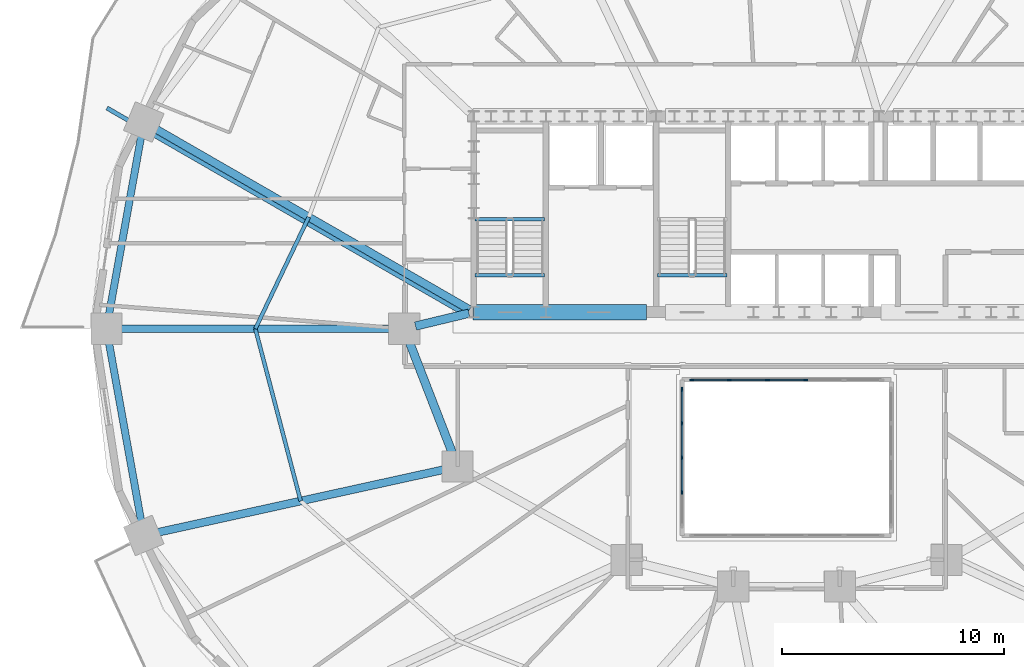
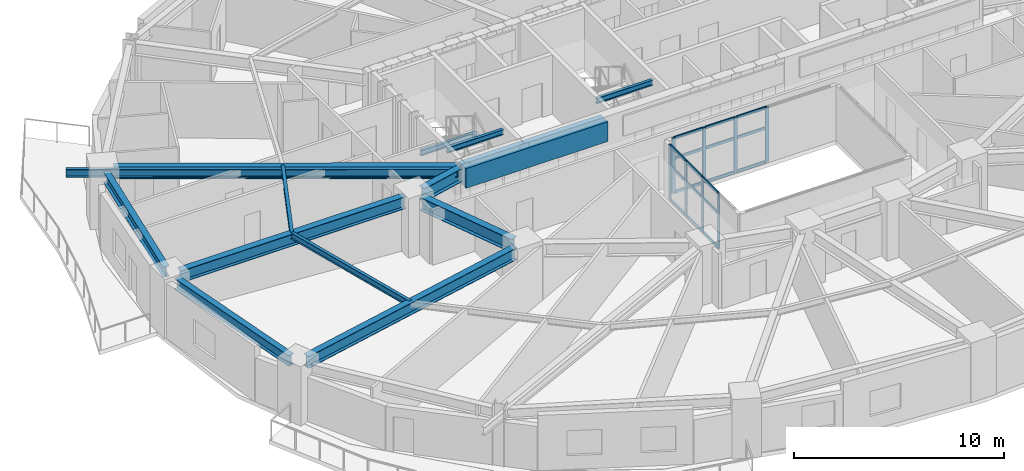
# One storey, part 4 of 17: 26 members, 14 beams, 2 elements without a shape of their own.
"""IFC4 building model written with IfcOpenShell, lengths in metres."""

from ifc_helpers import new_model, si_unit, direction, frame, origin, origin_2d, place, context, subcontext, project, spatial, rectangle, i_section, extrude, material, material_profile, profile_set, type_object, element, aggregate, save


model = new_model("IFC4")

# Units and contexts
model_context = context("Model", 3, precision=1e-05, world=origin(), true_north=direction((0.0, 1.0)))
body_context = subcontext(model_context, "Body", "Model", "MODEL_VIEW")
ifc_project = project(units=[si_unit("LENGTHUNIT", "METRE"), si_unit("AREAUNIT", "SQUARE_METRE"), si_unit("VOLUMEUNIT", "CUBIC_METRE"), si_unit("PLANEANGLEUNIT", "RADIAN"), si_unit("MASSUNIT", "GRAM", prefix="KILO")], contexts=[model_context])

# Site, building, storey
site_placement = place(None, origin())
site = spatial("IfcSite", under=ifc_project, at=site_placement, CompositionType="ELEMENT")
building_placement = place(site_placement, origin())
building = spatial("IfcBuilding", under=site, at=building_placement, Name="Haldorwick Loom Tower", CompositionType="ELEMENT")
storey_placement = place(building_placement, frame((0.0, 0.0, 34.35009765625)))
storey = spatial("IfcBuildingStorey", under=building, at=storey_placement, Name="L08", CompositionType="ELEMENT", Elevation=34.35009765625)

# Curtain wall, members
ifc_material_1 = material(Name="Thermally Broken Anodized Aluminium Curtain Wall Framing", Category="aluminium")
curtain_wall_type = type_object("IfcCurtainWallType", Name="ARC-CW-03", PredefinedType="NOTDEFINED", material=ifc_material_1)
curtain_wall_1_placement = place(storey_placement, origin())
curtain_wall_1 = element("IfcCurtainWall", 1, at=curtain_wall_1_placement, inside=storey, type_object=curtain_wall_type, Name="L08 Atrium Glazed Screen N", PredefinedType="NOTDEFINED")
ifc_material_profile_1 = material_profile(ifc_material_1, rectangle(XDim=0.06591796875, YDim=0.18505859375, at=origin_2d()), Name="ALU_MUL_66X185", Category="aluminium")
ifc_profile_set_1 = profile_set([ifc_material_profile_1], Name="Thermally Broken Anodized Aluminium Curtain Wall Framing")
member_type_1 = type_object("IfcMemberType", Name="ARC-CWM-03", PredefinedType="MULLION", material=ifc_profile_set_1)
member_1_placement = place(storey_placement, frame((31.73291015625, 23.699951171875, 0.0), z_axis=(0.0, 0.0, 1.0), x_axis=(0.0, 1.0, 0.0)))
member_1 = element("IfcMember", 2, at=member_1_placement, type_object=member_type_1, Name="CW-03 mullion 1", PredefinedType="MULLION", context=body_context, shape_type="SweptSolid", body=[
    extrude(rectangle(XDim=0.06591796875, YDim=0.18505859375, at=origin_2d()), origin(), (0.0, 0.0, 1.0), 3.2099609375),
])
member_2_placement = place(storey_placement, frame((33.419921875, 23.699951171875, 0.0), z_axis=(0.0, 0.0, 1.0), x_axis=(0.0, 1.0, 0.0)))
member_2 = element("IfcMember", 3, at=member_2_placement, type_object=member_type_1, Name="CW-03 mullion 2", PredefinedType="MULLION", context=body_context, shape_type="SweptSolid", body=[
    extrude(rectangle(XDim=0.06591796875, YDim=0.18505859375, at=origin_2d()), origin(), (0.0, 0.0, 1.0), 3.2099609375),
])
member_3_placement = place(storey_placement, frame((35.139892578125, 23.699951171875, 0.0), z_axis=(0.0, 0.0, 1.0), x_axis=(0.0, 1.0, 0.0)))
member_3 = element("IfcMember", 4, at=member_3_placement, type_object=member_type_1, Name="CW-03 mullion 3", PredefinedType="MULLION", context=body_context, shape_type="SweptSolid", body=[
    extrude(rectangle(XDim=0.06591796875, YDim=0.18505859375, at=origin_2d()), origin(), (0.0, 0.0, 1.0), 3.2099609375),
])
member_4_placement = place(storey_placement, frame((36.860107421875, 23.699951171875, 0.0), z_axis=(0.0, 0.0, 1.0), x_axis=(0.0, 1.0, 0.0)))
member_4 = element("IfcMember", 5, at=member_4_placement, type_object=member_type_1, Name="CW-03 mullion 4", PredefinedType="MULLION", context=body_context, shape_type="SweptSolid", body=[
    extrude(rectangle(XDim=0.06591796875, YDim=0.18505859375, at=origin_2d()), origin(), (0.0, 0.0, 1.0), 3.2099609375),
])

curtain_wall_2_placement = place(storey_placement, origin())
curtain_wall_2 = element("IfcCurtainWall", 6, at=curtain_wall_2_placement, inside=storey, type_object=curtain_wall_type, Name="L08 Atrium Glazed Screen W", PredefinedType="NOTDEFINED")
member_5_placement = place(storey_placement, frame((31.300048828125, 18.64990234375, 0.0), z_axis=(0.0, 0.0, 1.0), x_axis=(-1.0, 0.0, 0.0)))
member_5 = element("IfcMember", 7, at=member_5_placement, type_object=member_type_1, Name="CW-03 mullion 2", PredefinedType="MULLION", context=body_context, shape_type="SweptSolid", body=[
    extrude(rectangle(XDim=0.06591796875, YDim=0.18505859375, at=origin_2d()), origin(), (0.0, 0.0, 1.0), 3.2099609375),
])
member_6_placement = place(storey_placement, frame((31.300048828125, 20.199951171875, 0.0), z_axis=(0.0, 0.0, 1.0), x_axis=(-1.0, 0.0, 0.0)))
member_6 = element("IfcMember", 8, at=member_6_placement, type_object=member_type_1, Name="CW-03 mullion 3", PredefinedType="MULLION", context=body_context, shape_type="SweptSolid", body=[
    extrude(rectangle(XDim=0.06591796875, YDim=0.18505859375, at=origin_2d()), origin(), (0.0, 0.0, 1.0), 3.2099609375),
])
member_7_placement = place(storey_placement, frame((31.300048828125, 21.75, 0.0), z_axis=(0.0, 0.0, 1.0), x_axis=(-1.0, 0.0, 0.0)))
member_7 = element("IfcMember", 9, at=member_7_placement, type_object=member_type_1, Name="CW-03 mullion 4", PredefinedType="MULLION", context=body_context, shape_type="SweptSolid", body=[
    extrude(rectangle(XDim=0.06591796875, YDim=0.18505859375, at=origin_2d()), origin(), (0.0, 0.0, 1.0), 3.2099609375),
])
member_8_placement = place(storey_placement, frame((31.300048828125, 23.26708984375, 0.0), z_axis=(0.0, 0.0, 1.0), x_axis=(-1.0, 0.0, 0.0)))
member_8 = element("IfcMember", 10, at=member_8_placement, type_object=member_type_1, Name="CW-03 mullion 5", PredefinedType="MULLION", context=body_context, shape_type="SweptSolid", body=[
    extrude(rectangle(XDim=0.06591796875, YDim=0.18505859375, at=origin_2d()), origin(), (0.0, 0.0, 1.0), 3.2099609375),
])

# Member
ifc_material_profile_2 = material_profile(ifc_material_1, rectangle(XDim=0.06591796875, YDim=0.1650390625, at=origin_2d()), Name="ALU_TRN_66X165", Category="aluminium")
ifc_profile_set_2 = profile_set([ifc_material_profile_2], Name="Thermally Broken Anodized Aluminium Curtain Wall Framing")
member_type_2 = type_object("IfcMemberType", Name="ARC-CWT-03", PredefinedType="USERDEFINED", material=ifc_profile_set_2)
member_9_placement = place(storey_placement, frame((31.76611328125, 23.699951171875, 0.032958984375), z_axis=(1.0, 0.0, 0.0), x_axis=(0.0, 1.0, 0.0)))
member_9 = element("IfcMember", 11, at=member_9_placement, type_object=member_type_2, Name="CW-03 transom 1.1", ObjectType="TRANSOM", PredefinedType="USERDEFINED", context=body_context, shape_type="SweptSolid", body=[
    extrude(rectangle(XDim=0.06591796875, YDim=0.1650390625, at=origin_2d()), origin(), (0.0, 0.0, 1.0), 1.620849609375),
])

member_10_placement = place(storey_placement, frame((31.76611328125, 23.699951171875, 2.0), z_axis=(1.0, 0.0, 0.0), x_axis=(0.0, 1.0, 0.0)))
member_10 = element("IfcMember", 12, at=member_10_placement, type_object=member_type_2, Name="CW-03 transom 1.2", ObjectType="TRANSOM", PredefinedType="USERDEFINED", context=body_context, shape_type="SweptSolid", body=[
    extrude(rectangle(XDim=0.06591796875, YDim=0.1650390625, at=origin_2d()), origin(), (0.0, 0.0, 1.0), 1.620849609375),
])

member_11_placement = place(storey_placement, frame((31.76611328125, 23.699951171875, 3.177001953125), z_axis=(1.0, 0.0, 0.0), x_axis=(0.0, 1.0, 0.0)))
member_11 = element("IfcMember", 13, at=member_11_placement, type_object=member_type_2, Name="CW-03 transom 1.3", ObjectType="TRANSOM", PredefinedType="USERDEFINED", context=body_context, shape_type="SweptSolid", body=[
    extrude(rectangle(XDim=0.06591796875, YDim=0.1650390625, at=origin_2d()), origin(), (0.0, 0.0, 1.0), 1.620849609375),
])

member_12_placement = place(storey_placement, frame((33.452880859375, 23.699951171875, 0.032958984375), z_axis=(1.0, 0.0, 0.0), x_axis=(0.0, 1.0, 0.0)))
member_12 = element("IfcMember", 14, at=member_12_placement, type_object=member_type_2, Name="CW-03 transom 2.1", ObjectType="TRANSOM", PredefinedType="USERDEFINED", context=body_context, shape_type="SweptSolid", body=[
    extrude(rectangle(XDim=0.06591796875, YDim=0.1650390625, at=origin_2d()), origin(), (0.0, 0.0, 1.0), 1.654052734375),
])

member_13_placement = place(storey_placement, frame((33.452880859375, 23.699951171875, 2.0), z_axis=(1.0, 0.0, 0.0), x_axis=(0.0, 1.0, 0.0)))
member_13 = element("IfcMember", 15, at=member_13_placement, type_object=member_type_2, Name="CW-03 transom 2.2", ObjectType="TRANSOM", PredefinedType="USERDEFINED", context=body_context, shape_type="SweptSolid", body=[
    extrude(rectangle(XDim=0.06591796875, YDim=0.1650390625, at=origin_2d()), origin(), (0.0, 0.0, 1.0), 1.654052734375),
])

member_14_placement = place(storey_placement, frame((33.452880859375, 23.699951171875, 3.177001953125), z_axis=(1.0, 0.0, 0.0), x_axis=(0.0, 1.0, 0.0)))
member_14 = element("IfcMember", 16, at=member_14_placement, type_object=member_type_2, Name="CW-03 transom 2.3", ObjectType="TRANSOM", PredefinedType="USERDEFINED", context=body_context, shape_type="SweptSolid", body=[
    extrude(rectangle(XDim=0.06591796875, YDim=0.1650390625, at=origin_2d()), origin(), (0.0, 0.0, 1.0), 1.654052734375),
])

member_15_placement = place(storey_placement, frame((35.173095703125, 23.699951171875, 0.032958984375), z_axis=(1.0, 0.0, 0.0), x_axis=(0.0, 1.0, 0.0)))
member_15 = element("IfcMember", 17, at=member_15_placement, type_object=member_type_2, Name="CW-03 transom 3.1", ObjectType="TRANSOM", PredefinedType="USERDEFINED", context=body_context, shape_type="SweptSolid", body=[
    extrude(rectangle(XDim=0.06591796875, YDim=0.1650390625, at=origin_2d()), origin(), (0.0, 0.0, 1.0), 1.65380859375),
])

member_16_placement = place(storey_placement, frame((35.173095703125, 23.699951171875, 2.0), z_axis=(1.0, 0.0, 0.0), x_axis=(0.0, 1.0, 0.0)))
member_16 = element("IfcMember", 18, at=member_16_placement, type_object=member_type_2, Name="CW-03 transom 3.2", ObjectType="TRANSOM", PredefinedType="USERDEFINED", context=body_context, shape_type="SweptSolid", body=[
    extrude(rectangle(XDim=0.06591796875, YDim=0.1650390625, at=origin_2d()), origin(), (0.0, 0.0, 1.0), 1.65380859375),
])

member_17_placement = place(storey_placement, frame((35.173095703125, 23.699951171875, 3.177001953125), z_axis=(1.0, 0.0, 0.0), x_axis=(0.0, 1.0, 0.0)))
member_17 = element("IfcMember", 19, at=member_17_placement, type_object=member_type_2, Name="CW-03 transom 3.3", ObjectType="TRANSOM", PredefinedType="USERDEFINED", context=body_context, shape_type="SweptSolid", body=[
    extrude(rectangle(XDim=0.06591796875, YDim=0.1650390625, at=origin_2d()), origin(), (0.0, 0.0, 1.0), 1.65380859375),
])

aggregate(curtain_wall_1, [member_1, member_2, member_3, member_4, member_9, member_10, member_11, member_12, member_13, member_14, member_15, member_16, member_17])

member_18_placement = place(storey_placement, frame((31.300048828125, 18.68310546875, 0.032958984375), z_axis=(0.0, 1.0, 0.0), x_axis=(-1.0, 0.0, 0.0)))
member_18 = element("IfcMember", 20, at=member_18_placement, type_object=member_type_2, Name="CW-03 transom 2.1", ObjectType="TRANSOM", PredefinedType="USERDEFINED", context=body_context, shape_type="SweptSolid", body=[
    extrude(rectangle(XDim=0.06591796875, YDim=0.1650390625, at=origin_2d()), origin(), (0.0, 0.0, 1.0), 1.48388671875),
])

member_19_placement = place(storey_placement, frame((31.300048828125, 18.68310546875, 2.0), z_axis=(0.0, 1.0, 0.0), x_axis=(-1.0, 0.0, 0.0)))
member_19 = element("IfcMember", 21, at=member_19_placement, type_object=member_type_2, Name="CW-03 transom 2.2", ObjectType="TRANSOM", PredefinedType="USERDEFINED", context=body_context, shape_type="SweptSolid", body=[
    extrude(rectangle(XDim=0.06591796875, YDim=0.1650390625, at=origin_2d()), origin(), (0.0, 0.0, 1.0), 1.48388671875),
])

member_20_placement = place(storey_placement, frame((31.300048828125, 18.68310546875, 3.177001953125), z_axis=(0.0, 1.0, 0.0), x_axis=(-1.0, 0.0, 0.0)))
member_20 = element("IfcMember", 22, at=member_20_placement, type_object=member_type_2, Name="CW-03 transom 2.3", ObjectType="TRANSOM", PredefinedType="USERDEFINED", context=body_context, shape_type="SweptSolid", body=[
    extrude(rectangle(XDim=0.06591796875, YDim=0.1650390625, at=origin_2d()), origin(), (0.0, 0.0, 1.0), 1.48388671875),
])

member_21_placement = place(storey_placement, frame((31.300048828125, 20.23291015625, 0.032958984375), z_axis=(0.0, 1.0, 0.0), x_axis=(-1.0, 0.0, 0.0)))
member_21 = element("IfcMember", 23, at=member_21_placement, type_object=member_type_2, Name="CW-03 transom 3.1", ObjectType="TRANSOM", PredefinedType="USERDEFINED", context=body_context, shape_type="SweptSolid", body=[
    extrude(rectangle(XDim=0.06591796875, YDim=0.1650390625, at=origin_2d()), origin(), (0.0, 0.0, 1.0), 1.484130859375),
])

member_22_placement = place(storey_placement, frame((31.300048828125, 20.23291015625, 2.0), z_axis=(0.0, 1.0, 0.0), x_axis=(-1.0, 0.0, 0.0)))
member_22 = element("IfcMember", 24, at=member_22_placement, type_object=member_type_2, Name="CW-03 transom 3.2", ObjectType="TRANSOM", PredefinedType="USERDEFINED", context=body_context, shape_type="SweptSolid", body=[
    extrude(rectangle(XDim=0.06591796875, YDim=0.1650390625, at=origin_2d()), origin(), (0.0, 0.0, 1.0), 1.484130859375),
])

member_23_placement = place(storey_placement, frame((31.300048828125, 20.23291015625, 3.177001953125), z_axis=(0.0, 1.0, 0.0), x_axis=(-1.0, 0.0, 0.0)))
member_23 = element("IfcMember", 25, at=member_23_placement, type_object=member_type_2, Name="CW-03 transom 3.3", ObjectType="TRANSOM", PredefinedType="USERDEFINED", context=body_context, shape_type="SweptSolid", body=[
    extrude(rectangle(XDim=0.06591796875, YDim=0.1650390625, at=origin_2d()), origin(), (0.0, 0.0, 1.0), 1.484130859375),
])

member_24_placement = place(storey_placement, frame((31.300048828125, 21.782958984375, 0.032958984375), z_axis=(0.0, 1.0, 0.0), x_axis=(-1.0, 0.0, 0.0)))
member_24 = element("IfcMember", 26, at=member_24_placement, type_object=member_type_2, Name="CW-03 transom 4.1", ObjectType="TRANSOM", PredefinedType="USERDEFINED", context=body_context, shape_type="SweptSolid", body=[
    extrude(rectangle(XDim=0.06591796875, YDim=0.1650390625, at=origin_2d()), origin(), (0.0, 0.0, 1.0), 1.450927734375),
])

member_25_placement = place(storey_placement, frame((31.300048828125, 21.782958984375, 2.0), z_axis=(0.0, 1.0, 0.0), x_axis=(-1.0, 0.0, 0.0)))
member_25 = element("IfcMember", 27, at=member_25_placement, type_object=member_type_2, Name="CW-03 transom 4.2", ObjectType="TRANSOM", PredefinedType="USERDEFINED", context=body_context, shape_type="SweptSolid", body=[
    extrude(rectangle(XDim=0.06591796875, YDim=0.1650390625, at=origin_2d()), origin(), (0.0, 0.0, 1.0), 1.450927734375),
])

member_26_placement = place(storey_placement, frame((31.300048828125, 21.782958984375, 3.177001953125), z_axis=(0.0, 1.0, 0.0), x_axis=(-1.0, 0.0, 0.0)))
member_26 = element("IfcMember", 28, at=member_26_placement, type_object=member_type_2, Name="CW-03 transom 4.3", ObjectType="TRANSOM", PredefinedType="USERDEFINED", context=body_context, shape_type="SweptSolid", body=[
    extrude(rectangle(XDim=0.06591796875, YDim=0.1650390625, at=origin_2d()), origin(), (0.0, 0.0, 1.0), 1.450927734375),
])

aggregate(curtain_wall_2, [member_5, member_6, member_7, member_8, member_18, member_19, member_20, member_21, member_22, member_23, member_24, member_25, member_26])

# Beams
ifc_material_2 = material(Name="Steel CSA G40.21 350W", Category="steel")
ifc_material_profile_3 = material_profile(ifc_material_2, i_section(OverallWidth=0.193115234375, OverallDepth=0.466064453125, WebThickness=0.011474609375, FlangeThickness=0.01904296875, at=origin_2d()), Name="W460X97", Category="steel")
ifc_profile_set_3 = profile_set([ifc_material_profile_3], Name="Steel CSA G40.21 350W")
beam_type_1 = type_object("IfcBeamType", Name="STR-BM-BAL460", PredefinedType="BEAM", material=ifc_profile_set_3)
beam_1_placement = place(storey_placement, frame((21.59521484375, 26.61962890625, 2.976806640625), z_axis=(-0.866607024941, 0.49899124674, 0.0), x_axis=(-0.49899124674, -0.866607024941, 0.0)))
element("IfcBeam", 29, at=beam_1_placement, inside=storey, type_object=beam_type_1, Name="L08 Continuous Back-Spanned Balcony Beam 3", PredefinedType="BEAM", context=body_context, shape_type="SweptSolid", body=[
    extrude(i_section(OverallWidth=0.193115234375, OverallDepth=0.466064453125, WebThickness=0.011474609375, FlangeThickness=0.01904296875, at=origin_2d()), origin(), (0.0, 0.0, 1.0), 18.65771484375),
])
ifc_material_3 = material(Name="Concrete C60 (60 MPa)", Category="concrete")
ifc_material_profile_4 = material_profile(ifc_material_3, rectangle(XDim=0.699951171875, YDim=1.14990234375, at=origin_2d()), Name="RC700X1150", Category="concrete")
ifc_profile_set_4 = profile_set([ifc_material_profile_4], Name="Concrete C60 (60 MPa)")
beam_type_2 = type_object("IfcBeamType", Name="STR-BM-CB1150", PredefinedType="LINTEL", material=ifc_profile_set_4)
beam_2_placement = place(storey_placement, frame((21.89990234375, 26.75, 2.635009765625), z_axis=(1.0, 0.0, 0.0), x_axis=(0.0, 1.0, 0.0)))
element("IfcBeam", 30, at=beam_2_placement, inside=storey, type_object=beam_type_2, Name="L08 Core Coupling Beam CB-S1", PredefinedType="LINTEL", context=body_context, shape_type="SweptSolid", body=[
    extrude(rectangle(XDim=0.699951171875, YDim=1.14990234375, at=origin_2d()), origin(), (0.0, 0.0, 1.0), 7.800048828125),
])
ifc_material_profile_5 = material_profile(ifc_material_2, i_section(OverallWidth=0.172119140625, OverallDepth=0.35791015625, WebThickness=0.0078125, FlangeThickness=0.01318359375, at=origin_2d()), Name="W360X57", Category="steel")
ifc_profile_set_5 = profile_set([ifc_material_profile_5], Name="Steel CSA G40.21 350W")
beam_type_3 = type_object("IfcBeamType", Name="STR-BM-J360", PredefinedType="JOIST", material=ifc_profile_set_5)
beam_3_placement = place(storey_placement, frame((14.50634765625, 31.024658203125, 3.031005859375), z_axis=(-0.431630738849, -0.902050389546, 0.0), x_axis=(0.902050389546, -0.431630738849, 0.0)))
element("IfcBeam", 31, at=beam_3_placement, inside=storey, type_object=beam_type_3, Name="L08 Mid-Bay Secondary Joist 8", PredefinedType="JOIST", context=body_context, shape_type="SweptSolid", body=[
    extrude(i_section(OverallWidth=0.172119140625, OverallDepth=0.35791015625, WebThickness=0.0078125, FlangeThickness=0.01318359375, at=origin_2d()), origin(), (0.0, 0.0, 1.0), 5.5703125),
])
beam_4_placement = place(storey_placement, frame((12.10205078125, 26.0, 3.031005859375), z_axis=(0.2544888003, -0.967075721193, 0.0), x_axis=(0.967075721193, 0.2544888003, 0.0)))
element("IfcBeam", 32, at=beam_4_placement, inside=storey, type_object=beam_type_3, Name="L08 Mid-Bay Secondary Joist 9", PredefinedType="JOIST", context=body_context, shape_type="SweptSolid", body=[
    extrude(i_section(OverallWidth=0.172119140625, OverallDepth=0.35791015625, WebThickness=0.0078125, FlangeThickness=0.01318359375, at=origin_2d()), origin(), (0.0, 0.0, 1.0), 8.013427734375),
])
ifc_material_profile_6 = material_profile(ifc_material_2, i_section(OverallWidth=0.324951171875, OverallDepth=0.615966796875, WebThickness=0.013916015625, FlangeThickness=0.021484375, at=origin_2d()), Name="W610X174", Category="steel")
ifc_profile_set_6 = profile_set([ifc_material_profile_6], Name="Steel CSA G40.21 350W")
beam_type_4 = type_object("IfcBeamType", Name="STR-BM-SP610", PredefinedType="SPANDREL", material=ifc_profile_set_6)
for number, where, z_axis, x_axis, name in (
    (33, (6.990234375, 34.78759765625, 2.90185546875), (-0.177641139482, -0.984095333575, 0.0), (0.984095333575, -0.177641139482, 0.0), "L08 Perimeter Spandrel 8"),
    (34, (5.496337890625, 25.48828125, 2.90185546875), (0.177641139482, -0.984095333575, 0.0), (0.984095333575, 0.177641139482, 0.0), "L08 Perimeter Spandrel 9"),
):
    element("IfcBeam", number, at=place(storey_placement, frame(where, z_axis=z_axis, x_axis=x_axis)), inside=storey, type_object=beam_type_4, Name=name, PredefinedType="SPANDREL", context=body_context, shape_type="SweptSolid", body=[
        extrude(i_section(OverallWidth=0.324951171875, OverallDepth=0.615966796875, WebThickness=0.013916015625, FlangeThickness=0.021484375, at=origin_2d()), origin(), (0.0, 0.0, 1.0), 8.40966796875),
    ])
ifc_material_profile_7 = material_profile(ifc_material_2, i_section(OverallWidth=0.166015625, OverallDepth=0.31298828125, WebThickness=0.006591796875, FlangeThickness=0.01123046875, at=origin_2d()), Name="W310X45", Category="steel")
ifc_profile_set_7 = profile_set([ifc_material_profile_7], Name="Steel CSA G40.21 350W")
beam_type_5 = type_object("IfcBeamType", Name="STR-BM-STRM", PredefinedType="BEAM", material=ifc_profile_set_7)
for number, where, z_axis, x_axis, name in (
    (35, (21.989990234375, 28.39990234375, 3.053466796875), (1.0, 0.0, 0.0), (0.0, 1.0, 0.0), "L08 Stair ST-01 Landing Edge Trimmer"),
    (36, (21.989990234375, 30.919921875, 1.368408203125), (1.0, 0.0, 0.0), (0.0, 1.0, 0.0), "L08 Stair ST-01 Half-Landing Trimmer 1"),
    (37, (30.18994140625, 28.39990234375, 3.053466796875), (1.0, 0.0, 0.0), (0.0, 1.0, 0.0), "L08 Stair ST-03 Landing Edge Trimmer"),
):
    element("IfcBeam", number, at=place(storey_placement, frame(where, z_axis=z_axis, x_axis=x_axis)), inside=storey, type_object=beam_type_5, Name=name, PredefinedType="BEAM", context=body_context, shape_type="SweptSolid", body=[
        extrude(i_section(OverallWidth=0.166015625, OverallDepth=0.31298828125, WebThickness=0.006591796875, FlangeThickness=0.01123046875, at=origin_2d()), origin(), (0.0, 0.0, 1.0), 3.1201171875),
    ])
ifc_material_profile_8 = material_profile(ifc_material_2, i_section(OverallWidth=0.35498046875, OverallDepth=0.695068359375, WebThickness=0.015380859375, FlangeThickness=0.02490234375, at=origin_2d()), Name="W690X217", Category="steel")
ifc_profile_set_8 = profile_set([ifc_material_profile_8], Name="Steel CSA G40.21 350W")
beam_type_6 = type_object("IfcBeamType", Name="STR-BM-W690", PredefinedType="BEAM", material=ifc_profile_set_8)
beam_5_placement = place(storey_placement, frame((21.735107421875, 26.8623046875, 2.8623046875), z_axis=(-0.86660566838, 0.498993602696, 0.0), x_axis=(-0.498993602696, -0.86660566838, 0.0)))
element("IfcBeam", 38, at=beam_5_placement, inside=storey, type_object=beam_type_6, Name="L08 Radial Floor Girder 8", PredefinedType="BEAM", context=body_context, shape_type="SweptSolid", body=[
    extrude(i_section(OverallWidth=0.35498046875, OverallDepth=0.695068359375, WebThickness=0.015380859375, FlangeThickness=0.02490234375, at=origin_2d()), origin(), (0.0, 0.0, 1.0), 16.387939453125),
])
beam_6_placement = place(storey_placement, frame((18.280029296875, 26.0, 2.8623046875), z_axis=(-1.0, 0.0, 0.0), x_axis=(0.0, -1.0, 0.0)))
element("IfcBeam", 39, at=beam_6_placement, inside=storey, type_object=beam_type_6, Name="L08 Radial Floor Girder 9", PredefinedType="BEAM", context=body_context, shape_type="SweptSolid", body=[
    extrude(i_section(OverallWidth=0.35498046875, OverallDepth=0.695068359375, WebThickness=0.015380859375, FlangeThickness=0.02490234375, at=origin_2d()), origin(), (0.0, 0.0, 1.0), 12.35595703125),
])
beam_7_placement = place(storey_placement, frame((20.692138671875, 19.6884765625, 2.8623046875), z_axis=(-0.976740159434, -0.214426353203, 0.0), x_axis=(0.214426353203, -0.976740159434, 0.0)))
element("IfcBeam", 40, at=beam_7_placement, inside=storey, type_object=beam_type_6, Name="L08 Radial Floor Girder 10", PredefinedType="BEAM", context=body_context, shape_type="SweptSolid", body=[
    extrude(i_section(OverallWidth=0.35498046875, OverallDepth=0.695068359375, WebThickness=0.015380859375, FlangeThickness=0.02490234375, at=origin_2d()), origin(), (0.0, 0.0, 1.0), 13.41357421875),
])
ifc_material_profile_9 = material_profile(ifc_material_2, i_section(OverallWidth=0.381103515625, OverallDepth=0.77294921875, WebThickness=0.0166015625, FlangeThickness=0.027587890625, at=origin_2d()), Name="W760X257", Category="steel")
ifc_profile_set_9 = profile_set([ifc_material_profile_9], Name="Steel CSA G40.21 350W")
beam_type_7 = type_object("IfcBeamType", Name="STR-BM-W760", PredefinedType="BEAM", material=ifc_profile_set_9)
beam_8_placement = place(storey_placement, frame((21.01220703125, 20.284912109375, 2.823486328125), z_axis=(-0.360964792353, 0.93257944363, 0.0), x_axis=(-0.93257944363, -0.360964792353, 0.0)))
element("IfcBeam", 41, at=beam_8_placement, inside=storey, type_object=beam_type_7, Name="L08 Inner Ring Girder 8", PredefinedType="BEAM", context=body_context, shape_type="SweptSolid", body=[
    extrude(i_section(OverallWidth=0.381103515625, OverallDepth=0.77294921875, WebThickness=0.0166015625, FlangeThickness=0.027587890625, at=origin_2d()), origin(), (0.0, 0.0, 1.0), 5.6083984375),
])
beam_9_placement = place(storey_placement, frame((19.3056640625, 26.12109375, 2.823486328125), z_axis=(0.97247055837, 0.233025777764, 0.0), x_axis=(-0.233025777764, 0.97247055837, 0.0)))
element("IfcBeam", 42, at=beam_9_placement, inside=storey, type_object=beam_type_7, Name="L08 Inner Ring Girder 9", PredefinedType="BEAM", context=body_context, shape_type="SweptSolid", body=[
    extrude(i_section(OverallWidth=0.381103515625, OverallDepth=0.77294921875, WebThickness=0.0166015625, FlangeThickness=0.027587890625, at=origin_2d()), origin(), (0.0, 0.0, 1.0), 2.4736328125),
])

save(model, "model.ifc")
